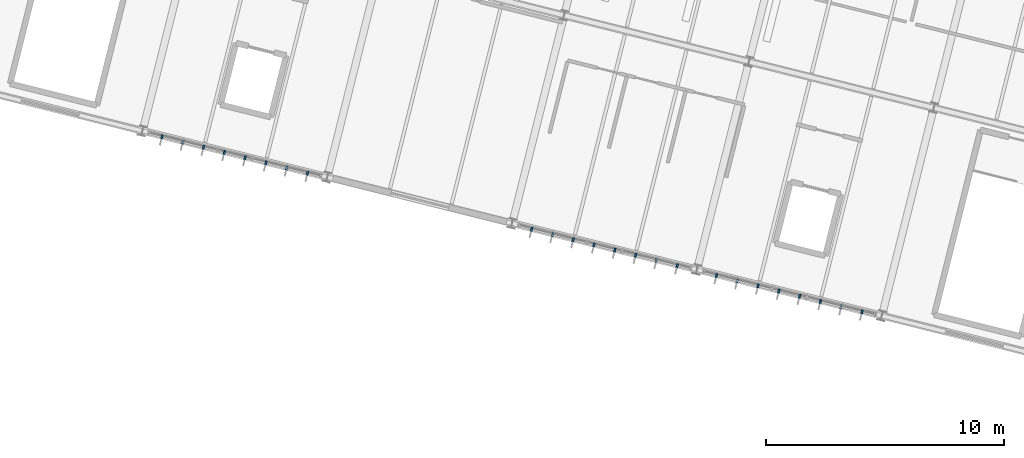
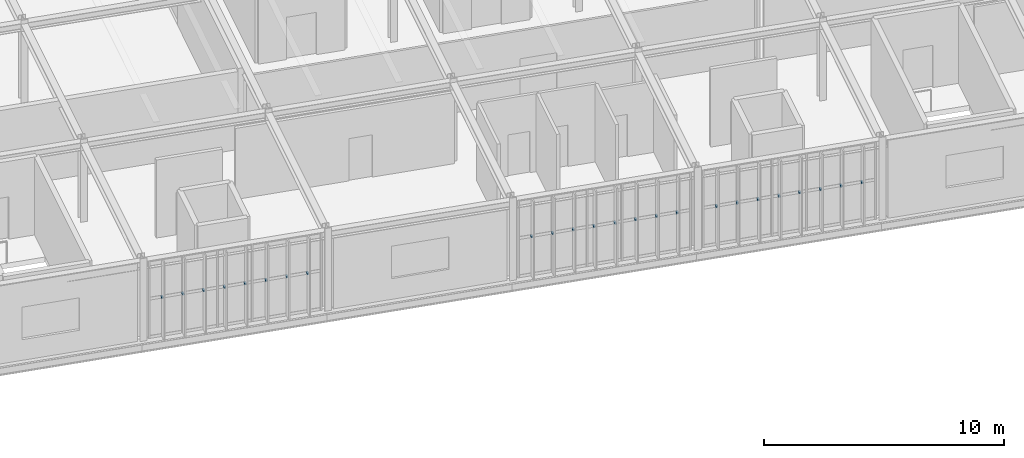
# One storey, part 26 of 30: 24 discrete accessories.
"""IFC4 building model written with IfcOpenShell, lengths in metres."""

from ifc_helpers import new_model, si_unit, derived_unit, direction, frame, origin, origin_2d, place, context, subcontext, project, spatial, rectangle, extrude, material, type_object, element, save


model = new_model("IFC4")

# Units and contexts
model_context = context("Model", 3, precision=1e-05, world=origin(), true_north=direction((0.0, 1.0)))
body_context = subcontext(model_context, "Body", "Model", "MODEL_VIEW")
ifc_project = project(units=[si_unit("LENGTHUNIT", "METRE"), si_unit("AREAUNIT", "SQUARE_METRE"), si_unit("VOLUMEUNIT", "CUBIC_METRE"), si_unit("PLANEANGLEUNIT", "RADIAN"), si_unit("MASSUNIT", "GRAM", prefix="KILO"), si_unit("THERMODYNAMICTEMPERATUREUNIT", "KELVIN"), si_unit("TIMEUNIT", "SECOND"), derived_unit("THERMALTRANSMITTANCEUNIT", [(si_unit("MASSUNIT", "GRAM", prefix="KILO"), 1), (si_unit("THERMODYNAMICTEMPERATUREUNIT", "KELVIN"), -1), (si_unit("TIMEUNIT", "SECOND"), -3)])], contexts=[model_context])

# Site, building, storey
site_placement = place(None, origin())
site = spatial("IfcSite", under=ifc_project, at=site_placement, CompositionType="ELEMENT")
building_placement = place(site_placement, origin())
building = spatial("IfcBuilding", under=site, at=building_placement, Name="Cambertide Market Hall", CompositionType="ELEMENT")
storey_placement = place(building_placement, frame((0.0, 0.0, 14.10009765625)))
storey = spatial("IfcBuildingStorey", under=building, at=storey_placement, Name="L04", CompositionType="ELEMENT", Elevation=14.10009765625)

# Discrete accessories
ifc_material = material(Name="Stainless Steel Grade 316", Category="metal")
discrete_accessory_type = type_object("IfcDiscreteAccessoryType", Name="Stainless Fin Outrigger Tie Bracket", PredefinedType="BRACKET", material=ifc_material)
for number, where, z_axis, x_axis, name in (
    (1, (130.44921875, 94.346435546875, 1.93994140625), (0.0, 0.0, 1.0), (-0.970142531436, 0.242535499875, 0.0), "CW-V4S-L04-3 Fin Tie Bracket 1"),
    (2, (129.575927734375, 94.564697265625, 1.93994140625), (0.0, 0.0, 1.0), (-0.970142531436, 0.242535499875, 0.0), "CW-V4S-L04-3 Fin Tie Bracket 2"),
    (3, (128.702880859375, 94.782958984375, 1.93994140625), (0.0, 0.0, 1.0), (-0.970142531436, 0.242535499875, 0.0), "CW-V4S-L04-3 Fin Tie Bracket 3"),
    (4, (127.829833984375, 95.001220703125, 1.93994140625), (0.0, 0.0, 1.0), (-0.970142531436, 0.242535499875, 0.0), "CW-V4S-L04-3 Fin Tie Bracket 4"),
    (5, (126.95654296875, 95.2197265625, 1.93994140625), (0.0, 0.0, 1.0), (-0.970142531436, 0.242535499875, 0.0), "CW-V4S-L04-3 Fin Tie Bracket 5"),
    (6, (126.08349609375, 95.43798828125, 1.93994140625), (0.0, 0.0, 1.0), (-0.970142531436, 0.242535499875, 0.0), "CW-V4S-L04-3 Fin Tie Bracket 6"),
    (7, (125.21044921875, 95.65625, 1.93994140625), (0.0, 0.0, 1.0), (-0.970142531436, 0.242535499875, 0.0), "CW-V4S-L04-3 Fin Tie Bracket 7"),
    (8, (124.337158203125, 95.87451171875, 1.93994140625), (0.0, 0.0, 1.0), (-0.970142531436, 0.242535499875, 0.0), "CW-V4S-L04-3 Fin Tie Bracket 8"),
    (9, (145.971435546875, 90.4658203125, 1.93994140625), (0.0, 0.0, 1.0), (-0.970142531436, 0.242535499875, 0.0), "CW-V4S-L04-5 Fin Tie Bracket 1"),
    (10, (145.09814453125, 90.684326171875, 1.93994140625), (0.0, 0.0, 1.0), (-0.970142531436, 0.242535499875, 0.0), "CW-V4S-L04-5 Fin Tie Bracket 2"),
    (11, (144.22509765625, 90.902587890625, 1.93994140625), (0.0, 0.0, 1.0), (-0.970142531436, 0.242535499875, 0.0), "CW-V4S-L04-5 Fin Tie Bracket 3"),
    (12, (143.35205078125, 91.120849609375, 1.93994140625), (0.0, 0.0, 1.0), (-0.970142531436, 0.242535499875, 0.0), "CW-V4S-L04-5 Fin Tie Bracket 4"),
    (13, (142.478759765625, 91.339111328125, 1.93994140625), (0.0, 0.0, 1.0), (-0.970142531436, 0.242535499875, 0.0), "CW-V4S-L04-5 Fin Tie Bracket 5"),
    (14, (141.605712890625, 91.557373046875, 1.93994140625), (0.0, 0.0, 1.0), (-0.970142531436, 0.242535499875, 0.0), "CW-V4S-L04-5 Fin Tie Bracket 6"),
    (15, (140.732666015625, 91.775634765625, 1.93994140625), (0.0, 0.0, 1.0), (-0.970142531436, 0.242535499875, 0.0), "CW-V4S-L04-5 Fin Tie Bracket 7"),
    (16, (139.859375, 91.993896484375, 1.93994140625), (0.0, 0.0, 1.0), (-0.970142531436, 0.242535499875, 0.0), "CW-V4S-L04-5 Fin Tie Bracket 8"),
    (17, (153.732421875, 88.525634765625, 1.93994140625), (0.0, 0.0, 1.0), (-0.970142531436, 0.242535499875, 0.0), "CW-V4S-L04-6 Fin Tie Bracket 1"),
    (18, (152.859375, 88.743896484375, 1.93994140625), (0.0, 0.0, 1.0), (-0.970142531436, 0.242535499875, 0.0), "CW-V4S-L04-6 Fin Tie Bracket 2"),
    (19, (151.986328125, 88.962158203125, 1.93994140625), (0.0, 0.0, 1.0), (-0.970142531436, 0.242535499875, 0.0), "CW-V4S-L04-6 Fin Tie Bracket 3"),
    (20, (151.113037109375, 89.180419921875, 1.93994140625), (0.0, 0.0, 1.0), (-0.970142531436, 0.242535499875, 0.0), "CW-V4S-L04-6 Fin Tie Bracket 4"),
    (21, (150.239990234375, 89.398681640625, 1.93994140625), (0.0, 0.0, 1.0), (-0.970142531436, 0.242535499875, 0.0), "CW-V4S-L04-6 Fin Tie Bracket 5"),
    (22, (149.366943359375, 89.616943359375, 1.93994140625), (0.0, 0.0, 1.0), (-0.970142531436, 0.242535499875, 0.0), "CW-V4S-L04-6 Fin Tie Bracket 6"),
    (23, (148.49365234375, 89.83544921875, 1.93994140625), (0.0, 0.0, 1.0), (-0.970142531436, 0.242535499875, 0.0), "CW-V4S-L04-6 Fin Tie Bracket 7"),
    (24, (147.62060546875, 90.0537109375, 1.93994140625), (0.0, 0.0, 1.0), (-0.970142531436, 0.242535499875, 0.0), "CW-V4S-L04-6 Fin Tie Bracket 8"),
):
    element("IfcDiscreteAccessory", number, at=place(storey_placement, frame(where, z_axis=z_axis, x_axis=x_axis)), inside=storey, type_object=discrete_accessory_type, Name=name, PredefinedType="BRACKET", context=body_context, shape_type="SweptSolid", body=[
        extrude(rectangle(XDim=0.080078125, YDim=0.159912109375, at=origin_2d()), origin(), (0.0, 0.0, 1.0), 0.080078125),
    ])

save(model, "model.ifc")
